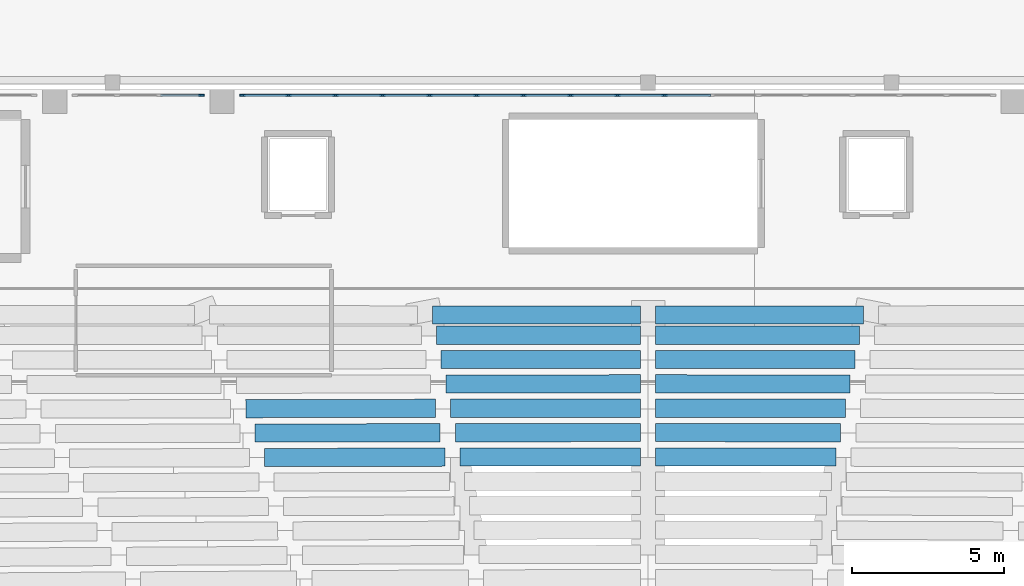
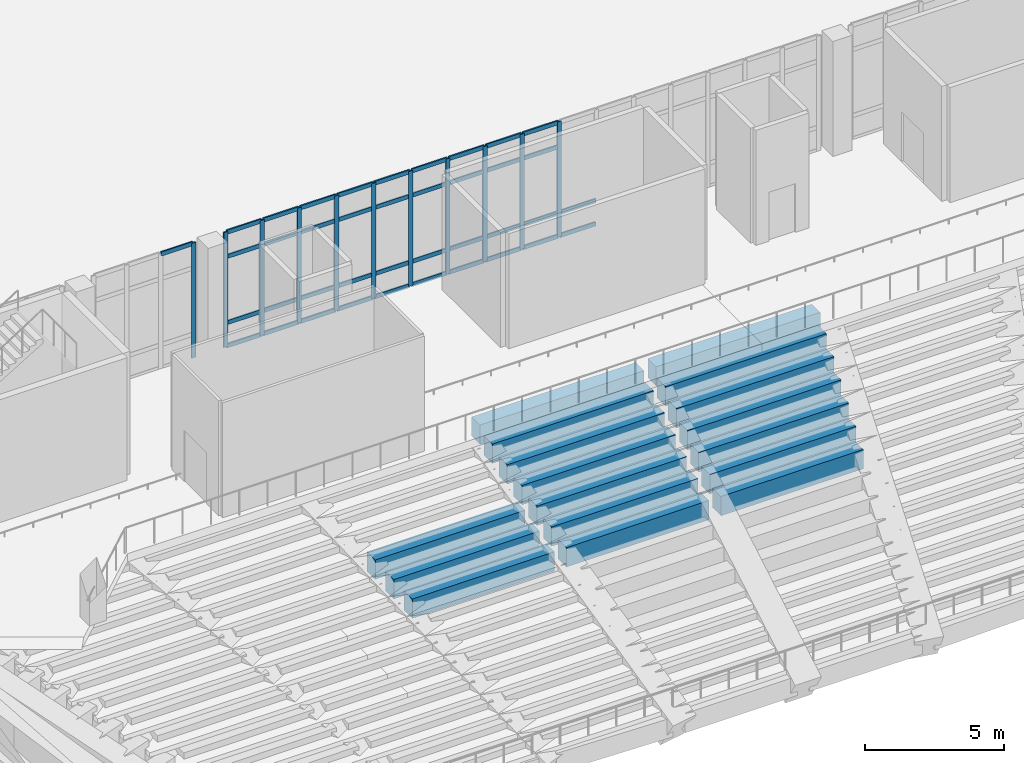
# One storey, part 23 of 55: 50 members, 17 beams, 2 elements without a shape of their own.
"""IFC4 building model written with IfcOpenShell, lengths in metres."""

from ifc_helpers import new_model, si_unit, derived_unit, direction, frame, origin, origin_2d, place, context, subcontext, project, spatial, rectangle, extrude, material, layer, layer_set, material_profile, profile_set, type_object, element, aggregate, save


model = new_model("IFC4")

# Units and contexts
model_context = context("Model", 3, precision=1e-05, world=origin(), true_north=direction((0.0, 1.0)))
body_context = subcontext(model_context, "Body", "Model", "MODEL_VIEW")
ifc_project = project(units=[si_unit("LENGTHUNIT", "METRE"), si_unit("AREAUNIT", "SQUARE_METRE"), si_unit("VOLUMEUNIT", "CUBIC_METRE"), si_unit("PLANEANGLEUNIT", "RADIAN"), si_unit("MASSUNIT", "GRAM", prefix="KILO"), derived_unit("THERMALTRANSMITTANCEUNIT", [(si_unit("MASSUNIT", "GRAM", prefix="KILO"), 1), (si_unit("TIMEUNIT", "SECOND"), -3), (si_unit("THERMODYNAMICTEMPERATUREUNIT", "KELVIN"), -1)])], contexts=[model_context])

# Site, building, storey
site_placement = place(None, origin())
site = spatial("IfcSite", under=ifc_project, at=site_placement, CompositionType="ELEMENT")
building_placement = place(site_placement, origin())
building = spatial("IfcBuilding", under=site, at=building_placement, Name="Valcora Ridge Arena", CompositionType="ELEMENT")
storey_placement = place(building_placement, frame((0.0, 0.0, 21.0)))
storey = spatial("IfcBuildingStorey", under=building, at=storey_placement, Name="L04", CompositionType="ELEMENT", Elevation=21.0)

# Beams
ifc_material_1 = material(Name="Concrete C40/50", Category="concrete")
ifc_material_profile_1 = material_profile(ifc_material_1, rectangle(XDim=0.60009765625, YDim=0.85009765625, at=origin_2d()), Name="RC 600x850")
ifc_profile_set_1 = profile_set([ifc_material_profile_1], Name="Concrete C40/50")
beam_type = type_object("IfcBeamType", Name="TY-BEAM-B-RC600-X", PredefinedType="BEAM", material=ifc_profile_set_1)
for number, where, z_axis, x_axis, name in (
    (1, (64.177001953125, 96.114013671875, -4.385009765625), (-0.999999511345, 0.00098858954, 0.0), (-0.00098858954, -0.999999511345, 0.0), "B-RC600-X BEM-RU3-B-RC600-X-0359"),
    (2, (57.75, 96.119873046875, -4.385009765625), (-0.999999511345, -0.00098858954, 0.0), (0.00098858954, -0.999999511345, 0.0), "B-RC600-X BEM-RU3-B-RC600-X-0360"),
):
    element("IfcBeam", number, at=place(storey_placement, frame(where, z_axis=z_axis, x_axis=x_axis)), inside=storey, type_object=beam_type, Name=name, PredefinedType="BEAM", context=body_context, shape_type="SweptSolid", body=[
        extrude(rectangle(XDim=0.60009765625, YDim=0.85009765625, at=origin_2d()), origin(), (0.0, 0.0, 1.0), 5.927001953125),
    ])
beam_1_placement = place(storey_placement, frame((51.322998046875, 96.11328125, -4.385009765625), z_axis=(-0.999996836757, -0.002515248517, 0.0), x_axis=(0.002515248517, -0.999996836757, 0.0)))
element("IfcBeam", 3, at=beam_1_placement, inside=storey, type_object=beam_type, Name="B-RC600-X BEM-RU3-B-RC600-X-0361", PredefinedType="BEAM", context=body_context, shape_type="SweptSolid", body=[
    extrude(rectangle(XDim=0.60009765625, YDim=0.85009765625, at=origin_2d()), origin(), (0.0, 0.0, 1.0), 5.9208984375),
])
for number, where, z_axis, x_axis, name in (
    (4, (64.331298828125, 96.9150390625, -3.905029296875), (-0.999999677658, 0.00080292238, 0.0), (-0.00080292238, -0.999999677658, 0.0), "B-RC600-X BEM-RU3-B-RC600-X-0389"),
    (5, (57.75, 96.919921875, -3.905029296875), (-0.999999677658, -0.00080292238, 0.0), (0.00080292238, -0.999999677658, 0.0), "B-RC600-X BEM-RU3-B-RC600-X-0390"),
):
    element("IfcBeam", number, at=place(storey_placement, frame(where, z_axis=z_axis, x_axis=x_axis)), inside=storey, type_object=beam_type, Name=name, PredefinedType="BEAM", context=body_context, shape_type="SweptSolid", body=[
        extrude(rectangle(XDim=0.60009765625, YDim=0.85009765625, at=origin_2d()), origin(), (0.0, 0.0, 1.0), 6.081298828125),
    ])
beam_2_placement = place(storey_placement, frame((51.168701171875, 96.914306640625, -3.905029296875), z_axis=(-0.999997982127, -0.002008915549, 0.0), x_axis=(0.002008915549, -0.999997982127, 0.0)))
element("IfcBeam", 6, at=beam_2_placement, inside=storey, type_object=beam_type, Name="B-RC600-X BEM-RU3-B-RC600-X-0391", PredefinedType="BEAM", context=body_context, shape_type="SweptSolid", body=[
    extrude(rectangle(XDim=0.60009765625, YDim=0.85009765625, at=origin_2d()), origin(), (0.0, 0.0, 1.0), 6.076416015625),
])
for number, where, z_axis, x_axis, name in (
    (7, (64.48583984375, 97.716064453125, -3.425048828125), (-0.999999827558, 0.000587267928, 0.0), (-0.000587267928, -0.999999827558, 0.0), "B-RC600-X BEM-RU3-B-RC600-X-0421"),
    (8, (57.75, 97.7197265625, -3.425048828125), (-0.999999827558, -0.000587267928, 0.0), (0.000587267928, -0.999999827558, 0.0), "B-RC600-X BEM-RU3-B-RC600-X-0422"),
):
    element("IfcBeam", number, at=place(storey_placement, frame(where, z_axis=z_axis, x_axis=x_axis)), inside=storey, type_object=beam_type, Name=name, PredefinedType="BEAM", context=body_context, shape_type="SweptSolid", body=[
        extrude(rectangle(XDim=0.60009765625, YDim=0.85009765625, at=origin_2d()), origin(), (0.0, 0.0, 1.0), 6.23583984375),
    ])
beam_3_placement = place(storey_placement, frame((51.01416015625, 97.715576171875, -3.425048828125), z_axis=(-0.999998772211, -0.001567027771, 0.0), x_axis=(0.001567027771, -0.999998772211, 0.0)))
element("IfcBeam", 9, at=beam_3_placement, inside=storey, type_object=beam_type, Name="B-RC600-X BEM-RU3-B-RC600-X-0423", PredefinedType="BEAM", context=body_context, shape_type="SweptSolid", body=[
    extrude(rectangle(XDim=0.60009765625, YDim=0.85009765625, at=origin_2d()), origin(), (0.0, 0.0, 1.0), 6.23193359375),
])
for number, where, z_axis, x_axis, name in (
    (10, (64.640380859375, 98.51708984375, -2.945068359375), (-0.999999894911, 0.000458452674, 0.0), (-0.000458452674, -0.999999894911, 0.0), "B-RC600-X BEM-RU3-B-RC600-X-0453"),
    (11, (57.75, 98.52001953125, -2.945068359375), (-0.999999894911, -0.000458452674, 0.0), (0.000458452674, -0.999999894911, 0.0), "B-RC600-X BEM-RU3-B-RC600-X-0454"),
):
    element("IfcBeam", number, at=place(storey_placement, frame(where, z_axis=z_axis, x_axis=x_axis)), inside=storey, type_object=beam_type, Name=name, PredefinedType="BEAM", context=body_context, shape_type="SweptSolid", body=[
        extrude(rectangle(XDim=0.60009765625, YDim=0.85009765625, at=origin_2d()), origin(), (0.0, 0.0, 1.0), 6.390380859375),
    ])
for number, where, z_axis, x_axis, name in (
    (12, (64.794921875, 99.318115234375, -2.465087890625), (-0.999999965909, 0.000261116076, 0.0), (-0.000261116076, -0.999999965909, 0.0), "B-RC600-X BEM-RU3-B-RC600-X-0485"),
    (13, (57.75, 99.31982421875, -2.465087890625), (-0.999999965909, -0.000261116076, 0.0), (0.000261116076, -0.999999965909, 0.0), "B-RC600-X BEM-RU3-B-RC600-X-0486"),
):
    element("IfcBeam", number, at=place(storey_placement, frame(where, z_axis=z_axis, x_axis=x_axis)), inside=storey, type_object=beam_type, Name=name, PredefinedType="BEAM", context=body_context, shape_type="SweptSolid", body=[
        extrude(rectangle(XDim=0.60009765625, YDim=0.85009765625, at=origin_2d()), origin(), (0.0, 0.0, 1.0), 6.544921875),
    ])
for number, where, z_axis, x_axis, name in (
    (14, (64.949462890625, 100.118896484375, -1.985107421875), (-0.9999999834, 0.0001822091, 0.0), (-0.0001822091, -0.9999999834, 0.0), "B-RC600-X BEM-RU3-B-RC600-X-0517"),
    (15, (57.75, 100.1201171875, -1.985107421875), (-0.9999999834, -0.0001822091, 0.0), (0.0001822091, -0.9999999834, 0.0), "B-RC600-X BEM-RU3-B-RC600-X-0518"),
):
    element("IfcBeam", number, at=place(storey_placement, frame(where, z_axis=z_axis, x_axis=x_axis)), inside=storey, type_object=beam_type, Name=name, PredefinedType="BEAM", context=body_context, shape_type="SweptSolid", body=[
        extrude(rectangle(XDim=0.60009765625, YDim=0.85009765625, at=origin_2d()), origin(), (0.0, 0.0, 1.0), 6.699462890625),
    ])
for number, where, z_axis, x_axis, name in (
    (16, (65.078125, 100.786376953125, -1.5048828125), (-0.999999989773, -0.000143020594, 0.0), (0.000143020594, -0.999999989773, 0.0), "B-RC600-X BEM-RU3-B-RC600-X-0549"),
    (17, (57.75, 100.785400390625, -1.5048828125), (-0.999999989773, 0.000143020594, 0.0), (-0.000143020594, -0.999999989773, 0.0), "B-RC600-X BEM-RU3-B-RC600-X-0550"),
):
    element("IfcBeam", number, at=place(storey_placement, frame(where, z_axis=z_axis, x_axis=x_axis)), inside=storey, type_object=beam_type, Name=name, PredefinedType="BEAM", context=body_context, shape_type="SweptSolid", body=[
        extrude(rectangle(XDim=0.60009765625, YDim=0.85009765625, at=origin_2d()), origin(), (0.0, 0.0, 1.0), 6.828125),
    ])

# Curtain wall, member
ifc_material_2 = material(Name="Anodised dark bronze architectural aluminium 6063-T6", Category="aluminium")
ifc_layer_1 = layer(ifc_material_2, 0.179931640625, Name="Anodised dark bronze architectural aluminium 6063-T6")
ifc_layer_set_1 = layer_set([ifc_layer_1], Name="Anodised dark bronze architectural aluminium 6063-T6")
curtain_wall_type_1 = type_object("IfcCurtainWallType", Name="TY-CURTAINWALL-CW-V1-GOTH-042X51", PredefinedType="NOTDEFINED", material=ifc_layer_set_1)
curtain_wall_1_placement = place(storey_placement, origin())
curtain_wall_1 = element("IfcCurtainWall", 18, at=curtain_wall_1_placement, inside=storey, type_object=curtain_wall_type_1, Name="CW-V1-GOTH-042X51 CW-0158", PredefinedType="NOTDEFINED")
ifc_material_profile_2 = material_profile(ifc_material_2, rectangle(XDim=0.06005859375, YDim=0.179931640625, at=origin_2d()), Name="ALU MULLION 60x180")
ifc_profile_set_2 = profile_set([ifc_material_profile_2], Name="Anodised dark bronze architectural aluminium 6063-T6")
member_type_1 = type_object("IfcMemberType", Name="TY-MEM-CWM-60x180", PredefinedType="MULLION", material=ifc_profile_set_2)
member_1_placement = place(storey_placement, frame((43.330078125, 108.0, 0.0), z_axis=(0.0, 0.0, 1.0), x_axis=(0.0, 1.0, 0.0)))
member_1 = element("IfcMember", 19, at=member_1_placement, type_object=member_type_1, Name="CW-0158/CWM-60x180/M03", PredefinedType="MULLION", context=body_context, shape_type="SweptSolid", body=[
    extrude(rectangle(XDim=0.06005859375, YDim=0.179931640625, at=origin_2d()), origin(), (0.0, 0.0, 1.0), 5.06005859375),
])

# Curtain wall, members
ifc_layer_2 = layer(ifc_material_2, 0.179931640625, Name="Anodised dark bronze architectural aluminium 6063-T6")
ifc_layer_set_2 = layer_set([ifc_layer_2], Name="Anodised dark bronze architectural aluminium 6063-T6")
curtain_wall_type_2 = type_object("IfcCurtainWallType", Name="TY-CURTAINWALL-CW-V1-GOTH-247X51", PredefinedType="NOTDEFINED", material=ifc_layer_set_2)
curtain_wall_2_placement = place(storey_placement, origin())
curtain_wall_2 = element("IfcCurtainWall", 20, at=curtain_wall_2_placement, inside=storey, type_object=curtain_wall_type_2, Name="CW-V1-GOTH-247X51 CW-0159", PredefinedType="NOTDEFINED")
member_2_placement = place(storey_placement, frame((44.669921875, 108.0, 0.0), z_axis=(0.0, 0.0, 1.0), x_axis=(0.0, 1.0, 0.0)))
member_2 = element("IfcMember", 21, at=member_2_placement, type_object=member_type_1, Name="CW-0159/CWM-60x180/M00", PredefinedType="MULLION", context=body_context, shape_type="SweptSolid", body=[
    extrude(rectangle(XDim=0.06005859375, YDim=0.179931640625, at=origin_2d()), origin(), (0.0, 0.0, 1.0), 5.06005859375),
])
member_3_placement = place(storey_placement, frame((46.18505859375, 108.0, 0.0), z_axis=(0.0, 0.0, 1.0), x_axis=(0.0, 1.0, 0.0)))
member_3 = element("IfcMember", 22, at=member_3_placement, type_object=member_type_1, Name="CW-0159/CWM-60x180/M01", PredefinedType="MULLION", context=body_context, shape_type="SweptSolid", body=[
    extrude(rectangle(XDim=0.06005859375, YDim=0.179931640625, at=origin_2d()), origin(), (0.0, 0.0, 1.0), 5.06005859375),
])
member_4_placement = place(storey_placement, frame((47.72998046875, 108.0, 0.0), z_axis=(0.0, 0.0, 1.0), x_axis=(0.0, 1.0, 0.0)))
member_4 = element("IfcMember", 23, at=member_4_placement, type_object=member_type_1, Name="CW-0159/CWM-60x180/M02", PredefinedType="MULLION", context=body_context, shape_type="SweptSolid", body=[
    extrude(rectangle(XDim=0.06005859375, YDim=0.179931640625, at=origin_2d()), origin(), (0.0, 0.0, 1.0), 5.06005859375),
])
member_5_placement = place(storey_placement, frame((49.27490234375, 108.0, 0.0), z_axis=(0.0, 0.0, 1.0), x_axis=(0.0, 1.0, 0.0)))
member_5 = element("IfcMember", 24, at=member_5_placement, type_object=member_type_1, Name="CW-0159/CWM-60x180/M03", PredefinedType="MULLION", context=body_context, shape_type="SweptSolid", body=[
    extrude(rectangle(XDim=0.06005859375, YDim=0.179931640625, at=origin_2d()), origin(), (0.0, 0.0, 1.0), 5.06005859375),
])
member_6_placement = place(storey_placement, frame((50.820068359375, 108.0, 0.0), z_axis=(0.0, 0.0, 1.0), x_axis=(0.0, 1.0, 0.0)))
member_6 = element("IfcMember", 25, at=member_6_placement, type_object=member_type_1, Name="CW-0159/CWM-60x180/M04", PredefinedType="MULLION", context=body_context, shape_type="SweptSolid", body=[
    extrude(rectangle(XDim=0.06005859375, YDim=0.179931640625, at=origin_2d()), origin(), (0.0, 0.0, 1.0), 5.06005859375),
])
member_7_placement = place(storey_placement, frame((52.364990234375, 108.0, 0.0), z_axis=(0.0, 0.0, 1.0), x_axis=(0.0, 1.0, 0.0)))
member_7 = element("IfcMember", 26, at=member_7_placement, type_object=member_type_1, Name="CW-0159/CWM-60x180/M05", PredefinedType="MULLION", context=body_context, shape_type="SweptSolid", body=[
    extrude(rectangle(XDim=0.06005859375, YDim=0.179931640625, at=origin_2d()), origin(), (0.0, 0.0, 1.0), 5.06005859375),
])
member_8_placement = place(storey_placement, frame((53.909912109375, 108.0, 0.0), z_axis=(0.0, 0.0, 1.0), x_axis=(0.0, 1.0, 0.0)))
member_8 = element("IfcMember", 27, at=member_8_placement, type_object=member_type_1, Name="CW-0159/CWM-60x180/M06", PredefinedType="MULLION", context=body_context, shape_type="SweptSolid", body=[
    extrude(rectangle(XDim=0.06005859375, YDim=0.179931640625, at=origin_2d()), origin(), (0.0, 0.0, 1.0), 5.06005859375),
])
member_9_placement = place(storey_placement, frame((55.455078125, 108.0, 0.0), z_axis=(0.0, 0.0, 1.0), x_axis=(0.0, 1.0, 0.0)))
member_9 = element("IfcMember", 28, at=member_9_placement, type_object=member_type_1, Name="CW-0159/CWM-60x180/M07", PredefinedType="MULLION", context=body_context, shape_type="SweptSolid", body=[
    extrude(rectangle(XDim=0.06005859375, YDim=0.179931640625, at=origin_2d()), origin(), (0.0, 0.0, 1.0), 5.06005859375),
])
member_10_placement = place(storey_placement, frame((57.0, 108.0, 0.0), z_axis=(0.0, 0.0, 1.0), x_axis=(0.0, 1.0, 0.0)))
member_10 = element("IfcMember", 29, at=member_10_placement, type_object=member_type_1, Name="CW-0159/CWM-60x180/M08", PredefinedType="MULLION", context=body_context, shape_type="SweptSolid", body=[
    extrude(rectangle(XDim=0.06005859375, YDim=0.179931640625, at=origin_2d()), origin(), (0.0, 0.0, 1.0), 5.06005859375),
])
member_11_placement = place(storey_placement, frame((58.544921875, 108.0, 0.0), z_axis=(0.0, 0.0, 1.0), x_axis=(0.0, 1.0, 0.0)))
member_11 = element("IfcMember", 30, at=member_11_placement, type_object=member_type_1, Name="CW-0159/CWM-60x180/M09", PredefinedType="MULLION", context=body_context, shape_type="SweptSolid", body=[
    extrude(rectangle(XDim=0.06005859375, YDim=0.179931640625, at=origin_2d()), origin(), (0.0, 0.0, 1.0), 5.06005859375),
])

# Member
ifc_material_profile_3 = material_profile(ifc_material_2, rectangle(XDim=0.06005859375, YDim=0.179931640625, at=origin_2d()), Name="ALU TRANSOM 60x180")
ifc_profile_set_3 = profile_set([ifc_material_profile_3], Name="Anodised dark bronze architectural aluminium 6063-T6")
member_type_2 = type_object("IfcMemberType", Name="TY-MEM-CWT-60x180", PredefinedType="USERDEFINED", material=ifc_profile_set_3)
member_12_placement = place(storey_placement, frame((41.98291015625, 108.0, 5.030029296875), z_axis=(1.0, 0.0, 0.0), x_axis=(0.0, 1.0, 0.0)))
member_12 = element("IfcMember", 31, at=member_12_placement, type_object=member_type_2, Name="CW-0158/CWT-60x180/T02-03", ObjectType="TRANSOM", PredefinedType="USERDEFINED", context=body_context, shape_type="SweptSolid", body=[
    extrude(rectangle(XDim=0.06005859375, YDim=0.179931640625, at=origin_2d()), origin(), (0.0, 0.0, 1.0), 1.317138671875),
])

aggregate(curtain_wall_1, [member_1, member_12])

member_13_placement = place(storey_placement, frame((44.699951171875, 108.0, 0.030029296875), z_axis=(1.0, 0.0, 0.0), x_axis=(0.0, 1.0, 0.0)))
member_13 = element("IfcMember", 32, at=member_13_placement, type_object=member_type_2, Name="CW-0159/CWT-60x180/T00-00", ObjectType="TRANSOM", PredefinedType="USERDEFINED", context=body_context, shape_type="SweptSolid", body=[
    extrude(rectangle(XDim=0.06005859375, YDim=0.179931640625, at=origin_2d()), origin(), (0.0, 0.0, 1.0), 1.455078125),
])

member_14_placement = place(storey_placement, frame((44.699951171875, 108.0, 1.050048828125), z_axis=(1.0, 0.0, 0.0), x_axis=(0.0, 1.0, 0.0)))
member_14 = element("IfcMember", 33, at=member_14_placement, type_object=member_type_2, Name="CW-0159/CWT-60x180/T00-01", ObjectType="TRANSOM", PredefinedType="USERDEFINED", context=body_context, shape_type="SweptSolid", body=[
    extrude(rectangle(XDim=0.06005859375, YDim=0.179931640625, at=origin_2d()), origin(), (0.0, 0.0, 1.0), 1.455078125),
])

member_15_placement = place(storey_placement, frame((44.699951171875, 108.0, 3.9599609375), z_axis=(1.0, 0.0, 0.0), x_axis=(0.0, 1.0, 0.0)))
member_15 = element("IfcMember", 34, at=member_15_placement, type_object=member_type_2, Name="CW-0159/CWT-60x180/T00-02", ObjectType="TRANSOM", PredefinedType="USERDEFINED", context=body_context, shape_type="SweptSolid", body=[
    extrude(rectangle(XDim=0.06005859375, YDim=0.179931640625, at=origin_2d()), origin(), (0.0, 0.0, 1.0), 1.455078125),
])

member_16_placement = place(storey_placement, frame((44.699951171875, 108.0, 5.030029296875), z_axis=(1.0, 0.0, 0.0), x_axis=(0.0, 1.0, 0.0)))
member_16 = element("IfcMember", 35, at=member_16_placement, type_object=member_type_2, Name="CW-0159/CWT-60x180/T00-03", ObjectType="TRANSOM", PredefinedType="USERDEFINED", context=body_context, shape_type="SweptSolid", body=[
    extrude(rectangle(XDim=0.06005859375, YDim=0.179931640625, at=origin_2d()), origin(), (0.0, 0.0, 1.0), 1.455078125),
])

member_17_placement = place(storey_placement, frame((46.215087890625, 108.0, 0.030029296875), z_axis=(1.0, 0.0, 0.0), x_axis=(0.0, 1.0, 0.0)))
member_17 = element("IfcMember", 36, at=member_17_placement, type_object=member_type_2, Name="CW-0159/CWT-60x180/T01-00", ObjectType="TRANSOM", PredefinedType="USERDEFINED", context=body_context, shape_type="SweptSolid", body=[
    extrude(rectangle(XDim=0.06005859375, YDim=0.179931640625, at=origin_2d()), origin(), (0.0, 0.0, 1.0), 1.48486328125),
])

member_18_placement = place(storey_placement, frame((46.215087890625, 108.0, 1.050048828125), z_axis=(1.0, 0.0, 0.0), x_axis=(0.0, 1.0, 0.0)))
member_18 = element("IfcMember", 37, at=member_18_placement, type_object=member_type_2, Name="CW-0159/CWT-60x180/T01-01", ObjectType="TRANSOM", PredefinedType="USERDEFINED", context=body_context, shape_type="SweptSolid", body=[
    extrude(rectangle(XDim=0.06005859375, YDim=0.179931640625, at=origin_2d()), origin(), (0.0, 0.0, 1.0), 1.48486328125),
])

member_19_placement = place(storey_placement, frame((46.215087890625, 108.0, 3.9599609375), z_axis=(1.0, 0.0, 0.0), x_axis=(0.0, 1.0, 0.0)))
member_19 = element("IfcMember", 38, at=member_19_placement, type_object=member_type_2, Name="CW-0159/CWT-60x180/T01-02", ObjectType="TRANSOM", PredefinedType="USERDEFINED", context=body_context, shape_type="SweptSolid", body=[
    extrude(rectangle(XDim=0.06005859375, YDim=0.179931640625, at=origin_2d()), origin(), (0.0, 0.0, 1.0), 1.48486328125),
])

member_20_placement = place(storey_placement, frame((46.215087890625, 108.0, 5.030029296875), z_axis=(1.0, 0.0, 0.0), x_axis=(0.0, 1.0, 0.0)))
member_20 = element("IfcMember", 39, at=member_20_placement, type_object=member_type_2, Name="CW-0159/CWT-60x180/T01-03", ObjectType="TRANSOM", PredefinedType="USERDEFINED", context=body_context, shape_type="SweptSolid", body=[
    extrude(rectangle(XDim=0.06005859375, YDim=0.179931640625, at=origin_2d()), origin(), (0.0, 0.0, 1.0), 1.48486328125),
])

member_21_placement = place(storey_placement, frame((47.760009765625, 108.0, 0.030029296875), z_axis=(1.0, 0.0, 0.0), x_axis=(0.0, 1.0, 0.0)))
member_21 = element("IfcMember", 40, at=member_21_placement, type_object=member_type_2, Name="CW-0159/CWT-60x180/T02-00", ObjectType="TRANSOM", PredefinedType="USERDEFINED", context=body_context, shape_type="SweptSolid", body=[
    extrude(rectangle(XDim=0.06005859375, YDim=0.179931640625, at=origin_2d()), origin(), (0.0, 0.0, 1.0), 1.485107421875),
])

member_22_placement = place(storey_placement, frame((47.760009765625, 108.0, 1.050048828125), z_axis=(1.0, 0.0, 0.0), x_axis=(0.0, 1.0, 0.0)))
member_22 = element("IfcMember", 41, at=member_22_placement, type_object=member_type_2, Name="CW-0159/CWT-60x180/T02-01", ObjectType="TRANSOM", PredefinedType="USERDEFINED", context=body_context, shape_type="SweptSolid", body=[
    extrude(rectangle(XDim=0.06005859375, YDim=0.179931640625, at=origin_2d()), origin(), (0.0, 0.0, 1.0), 1.485107421875),
])

member_23_placement = place(storey_placement, frame((47.760009765625, 108.0, 3.9599609375), z_axis=(1.0, 0.0, 0.0), x_axis=(0.0, 1.0, 0.0)))
member_23 = element("IfcMember", 42, at=member_23_placement, type_object=member_type_2, Name="CW-0159/CWT-60x180/T02-02", ObjectType="TRANSOM", PredefinedType="USERDEFINED", context=body_context, shape_type="SweptSolid", body=[
    extrude(rectangle(XDim=0.06005859375, YDim=0.179931640625, at=origin_2d()), origin(), (0.0, 0.0, 1.0), 1.485107421875),
])

member_24_placement = place(storey_placement, frame((47.760009765625, 108.0, 5.030029296875), z_axis=(1.0, 0.0, 0.0), x_axis=(0.0, 1.0, 0.0)))
member_24 = element("IfcMember", 43, at=member_24_placement, type_object=member_type_2, Name="CW-0159/CWT-60x180/T02-03", ObjectType="TRANSOM", PredefinedType="USERDEFINED", context=body_context, shape_type="SweptSolid", body=[
    extrude(rectangle(XDim=0.06005859375, YDim=0.179931640625, at=origin_2d()), origin(), (0.0, 0.0, 1.0), 1.485107421875),
])

member_25_placement = place(storey_placement, frame((49.304931640625, 108.0, 0.030029296875), z_axis=(1.0, 0.0, 0.0), x_axis=(0.0, 1.0, 0.0)))
member_25 = element("IfcMember", 44, at=member_25_placement, type_object=member_type_2, Name="CW-0159/CWT-60x180/T03-00", ObjectType="TRANSOM", PredefinedType="USERDEFINED", context=body_context, shape_type="SweptSolid", body=[
    extrude(rectangle(XDim=0.06005859375, YDim=0.179931640625, at=origin_2d()), origin(), (0.0, 0.0, 1.0), 1.485107421875),
])

member_26_placement = place(storey_placement, frame((49.304931640625, 108.0, 1.050048828125), z_axis=(1.0, 0.0, 0.0), x_axis=(0.0, 1.0, 0.0)))
member_26 = element("IfcMember", 45, at=member_26_placement, type_object=member_type_2, Name="CW-0159/CWT-60x180/T03-01", ObjectType="TRANSOM", PredefinedType="USERDEFINED", context=body_context, shape_type="SweptSolid", body=[
    extrude(rectangle(XDim=0.06005859375, YDim=0.179931640625, at=origin_2d()), origin(), (0.0, 0.0, 1.0), 1.485107421875),
])

member_27_placement = place(storey_placement, frame((49.304931640625, 108.0, 3.9599609375), z_axis=(1.0, 0.0, 0.0), x_axis=(0.0, 1.0, 0.0)))
member_27 = element("IfcMember", 46, at=member_27_placement, type_object=member_type_2, Name="CW-0159/CWT-60x180/T03-02", ObjectType="TRANSOM", PredefinedType="USERDEFINED", context=body_context, shape_type="SweptSolid", body=[
    extrude(rectangle(XDim=0.06005859375, YDim=0.179931640625, at=origin_2d()), origin(), (0.0, 0.0, 1.0), 1.485107421875),
])

member_28_placement = place(storey_placement, frame((49.304931640625, 108.0, 5.030029296875), z_axis=(1.0, 0.0, 0.0), x_axis=(0.0, 1.0, 0.0)))
member_28 = element("IfcMember", 47, at=member_28_placement, type_object=member_type_2, Name="CW-0159/CWT-60x180/T03-03", ObjectType="TRANSOM", PredefinedType="USERDEFINED", context=body_context, shape_type="SweptSolid", body=[
    extrude(rectangle(XDim=0.06005859375, YDim=0.179931640625, at=origin_2d()), origin(), (0.0, 0.0, 1.0), 1.485107421875),
])

member_29_placement = place(storey_placement, frame((50.85009765625, 108.0, 0.030029296875), z_axis=(1.0, 0.0, 0.0), x_axis=(0.0, 1.0, 0.0)))
member_29 = element("IfcMember", 48, at=member_29_placement, type_object=member_type_2, Name="CW-0159/CWT-60x180/T04-00", ObjectType="TRANSOM", PredefinedType="USERDEFINED", context=body_context, shape_type="SweptSolid", body=[
    extrude(rectangle(XDim=0.06005859375, YDim=0.179931640625, at=origin_2d()), origin(), (0.0, 0.0, 1.0), 1.48486328125),
])

member_30_placement = place(storey_placement, frame((50.85009765625, 108.0, 1.050048828125), z_axis=(1.0, 0.0, 0.0), x_axis=(0.0, 1.0, 0.0)))
member_30 = element("IfcMember", 49, at=member_30_placement, type_object=member_type_2, Name="CW-0159/CWT-60x180/T04-01", ObjectType="TRANSOM", PredefinedType="USERDEFINED", context=body_context, shape_type="SweptSolid", body=[
    extrude(rectangle(XDim=0.06005859375, YDim=0.179931640625, at=origin_2d()), origin(), (0.0, 0.0, 1.0), 1.48486328125),
])

member_31_placement = place(storey_placement, frame((50.85009765625, 108.0, 3.9599609375), z_axis=(1.0, 0.0, 0.0), x_axis=(0.0, 1.0, 0.0)))
member_31 = element("IfcMember", 50, at=member_31_placement, type_object=member_type_2, Name="CW-0159/CWT-60x180/T04-02", ObjectType="TRANSOM", PredefinedType="USERDEFINED", context=body_context, shape_type="SweptSolid", body=[
    extrude(rectangle(XDim=0.06005859375, YDim=0.179931640625, at=origin_2d()), origin(), (0.0, 0.0, 1.0), 1.48486328125),
])

member_32_placement = place(storey_placement, frame((50.85009765625, 108.0, 5.030029296875), z_axis=(1.0, 0.0, 0.0), x_axis=(0.0, 1.0, 0.0)))
member_32 = element("IfcMember", 51, at=member_32_placement, type_object=member_type_2, Name="CW-0159/CWT-60x180/T04-03", ObjectType="TRANSOM", PredefinedType="USERDEFINED", context=body_context, shape_type="SweptSolid", body=[
    extrude(rectangle(XDim=0.06005859375, YDim=0.179931640625, at=origin_2d()), origin(), (0.0, 0.0, 1.0), 1.48486328125),
])

member_33_placement = place(storey_placement, frame((52.39501953125, 108.0, 0.030029296875), z_axis=(1.0, 0.0, 0.0), x_axis=(0.0, 1.0, 0.0)))
member_33 = element("IfcMember", 52, at=member_33_placement, type_object=member_type_2, Name="CW-0159/CWT-60x180/T05-00", ObjectType="TRANSOM", PredefinedType="USERDEFINED", context=body_context, shape_type="SweptSolid", body=[
    extrude(rectangle(XDim=0.06005859375, YDim=0.179931640625, at=origin_2d()), origin(), (0.0, 0.0, 1.0), 1.48486328125),
])

member_34_placement = place(storey_placement, frame((52.39501953125, 108.0, 1.050048828125), z_axis=(1.0, 0.0, 0.0), x_axis=(0.0, 1.0, 0.0)))
member_34 = element("IfcMember", 53, at=member_34_placement, type_object=member_type_2, Name="CW-0159/CWT-60x180/T05-01", ObjectType="TRANSOM", PredefinedType="USERDEFINED", context=body_context, shape_type="SweptSolid", body=[
    extrude(rectangle(XDim=0.06005859375, YDim=0.179931640625, at=origin_2d()), origin(), (0.0, 0.0, 1.0), 1.48486328125),
])

member_35_placement = place(storey_placement, frame((52.39501953125, 108.0, 3.9599609375), z_axis=(1.0, 0.0, 0.0), x_axis=(0.0, 1.0, 0.0)))
member_35 = element("IfcMember", 54, at=member_35_placement, type_object=member_type_2, Name="CW-0159/CWT-60x180/T05-02", ObjectType="TRANSOM", PredefinedType="USERDEFINED", context=body_context, shape_type="SweptSolid", body=[
    extrude(rectangle(XDim=0.06005859375, YDim=0.179931640625, at=origin_2d()), origin(), (0.0, 0.0, 1.0), 1.48486328125),
])

member_36_placement = place(storey_placement, frame((52.39501953125, 108.0, 5.030029296875), z_axis=(1.0, 0.0, 0.0), x_axis=(0.0, 1.0, 0.0)))
member_36 = element("IfcMember", 55, at=member_36_placement, type_object=member_type_2, Name="CW-0159/CWT-60x180/T05-03", ObjectType="TRANSOM", PredefinedType="USERDEFINED", context=body_context, shape_type="SweptSolid", body=[
    extrude(rectangle(XDim=0.06005859375, YDim=0.179931640625, at=origin_2d()), origin(), (0.0, 0.0, 1.0), 1.48486328125),
])

member_37_placement = place(storey_placement, frame((53.93994140625, 108.0, 0.030029296875), z_axis=(1.0, 0.0, 0.0), x_axis=(0.0, 1.0, 0.0)))
member_37 = element("IfcMember", 56, at=member_37_placement, type_object=member_type_2, Name="CW-0159/CWT-60x180/T06-00", ObjectType="TRANSOM", PredefinedType="USERDEFINED", context=body_context, shape_type="SweptSolid", body=[
    extrude(rectangle(XDim=0.06005859375, YDim=0.179931640625, at=origin_2d()), origin(), (0.0, 0.0, 1.0), 1.485107421875),
])

member_38_placement = place(storey_placement, frame((53.93994140625, 108.0, 1.050048828125), z_axis=(1.0, 0.0, 0.0), x_axis=(0.0, 1.0, 0.0)))
member_38 = element("IfcMember", 57, at=member_38_placement, type_object=member_type_2, Name="CW-0159/CWT-60x180/T06-01", ObjectType="TRANSOM", PredefinedType="USERDEFINED", context=body_context, shape_type="SweptSolid", body=[
    extrude(rectangle(XDim=0.06005859375, YDim=0.179931640625, at=origin_2d()), origin(), (0.0, 0.0, 1.0), 1.485107421875),
])

member_39_placement = place(storey_placement, frame((53.93994140625, 108.0, 3.9599609375), z_axis=(1.0, 0.0, 0.0), x_axis=(0.0, 1.0, 0.0)))
member_39 = element("IfcMember", 58, at=member_39_placement, type_object=member_type_2, Name="CW-0159/CWT-60x180/T06-02", ObjectType="TRANSOM", PredefinedType="USERDEFINED", context=body_context, shape_type="SweptSolid", body=[
    extrude(rectangle(XDim=0.06005859375, YDim=0.179931640625, at=origin_2d()), origin(), (0.0, 0.0, 1.0), 1.485107421875),
])

member_40_placement = place(storey_placement, frame((53.93994140625, 108.0, 5.030029296875), z_axis=(1.0, 0.0, 0.0), x_axis=(0.0, 1.0, 0.0)))
member_40 = element("IfcMember", 59, at=member_40_placement, type_object=member_type_2, Name="CW-0159/CWT-60x180/T06-03", ObjectType="TRANSOM", PredefinedType="USERDEFINED", context=body_context, shape_type="SweptSolid", body=[
    extrude(rectangle(XDim=0.06005859375, YDim=0.179931640625, at=origin_2d()), origin(), (0.0, 0.0, 1.0), 1.485107421875),
])

member_41_placement = place(storey_placement, frame((55.485107421875, 108.0, 0.030029296875), z_axis=(1.0, 0.0, 0.0), x_axis=(0.0, 1.0, 0.0)))
member_41 = element("IfcMember", 60, at=member_41_placement, type_object=member_type_2, Name="CW-0159/CWT-60x180/T07-00", ObjectType="TRANSOM", PredefinedType="USERDEFINED", context=body_context, shape_type="SweptSolid", body=[
    extrude(rectangle(XDim=0.06005859375, YDim=0.179931640625, at=origin_2d()), origin(), (0.0, 0.0, 1.0), 1.48486328125),
])

member_42_placement = place(storey_placement, frame((55.485107421875, 108.0, 1.050048828125), z_axis=(1.0, 0.0, 0.0), x_axis=(0.0, 1.0, 0.0)))
member_42 = element("IfcMember", 61, at=member_42_placement, type_object=member_type_2, Name="CW-0159/CWT-60x180/T07-01", ObjectType="TRANSOM", PredefinedType="USERDEFINED", context=body_context, shape_type="SweptSolid", body=[
    extrude(rectangle(XDim=0.06005859375, YDim=0.179931640625, at=origin_2d()), origin(), (0.0, 0.0, 1.0), 1.48486328125),
])

member_43_placement = place(storey_placement, frame((55.485107421875, 108.0, 3.9599609375), z_axis=(1.0, 0.0, 0.0), x_axis=(0.0, 1.0, 0.0)))
member_43 = element("IfcMember", 62, at=member_43_placement, type_object=member_type_2, Name="CW-0159/CWT-60x180/T07-02", ObjectType="TRANSOM", PredefinedType="USERDEFINED", context=body_context, shape_type="SweptSolid", body=[
    extrude(rectangle(XDim=0.06005859375, YDim=0.179931640625, at=origin_2d()), origin(), (0.0, 0.0, 1.0), 1.48486328125),
])

member_44_placement = place(storey_placement, frame((55.485107421875, 108.0, 5.030029296875), z_axis=(1.0, 0.0, 0.0), x_axis=(0.0, 1.0, 0.0)))
member_44 = element("IfcMember", 63, at=member_44_placement, type_object=member_type_2, Name="CW-0159/CWT-60x180/T07-03", ObjectType="TRANSOM", PredefinedType="USERDEFINED", context=body_context, shape_type="SweptSolid", body=[
    extrude(rectangle(XDim=0.06005859375, YDim=0.179931640625, at=origin_2d()), origin(), (0.0, 0.0, 1.0), 1.48486328125),
])

member_45_placement = place(storey_placement, frame((57.030029296875, 108.0, 0.030029296875), z_axis=(1.0, 0.0, 0.0), x_axis=(0.0, 1.0, 0.0)))
member_45 = element("IfcMember", 64, at=member_45_placement, type_object=member_type_2, Name="CW-0159/CWT-60x180/T08-00", ObjectType="TRANSOM", PredefinedType="USERDEFINED", context=body_context, shape_type="SweptSolid", body=[
    extrude(rectangle(XDim=0.06005859375, YDim=0.179931640625, at=origin_2d()), origin(), (0.0, 0.0, 1.0), 1.48486328125),
])

member_46_placement = place(storey_placement, frame((57.030029296875, 108.0, 1.050048828125), z_axis=(1.0, 0.0, 0.0), x_axis=(0.0, 1.0, 0.0)))
member_46 = element("IfcMember", 65, at=member_46_placement, type_object=member_type_2, Name="CW-0159/CWT-60x180/T08-01", ObjectType="TRANSOM", PredefinedType="USERDEFINED", context=body_context, shape_type="SweptSolid", body=[
    extrude(rectangle(XDim=0.06005859375, YDim=0.179931640625, at=origin_2d()), origin(), (0.0, 0.0, 1.0), 1.48486328125),
])

member_47_placement = place(storey_placement, frame((57.030029296875, 108.0, 3.9599609375), z_axis=(1.0, 0.0, 0.0), x_axis=(0.0, 1.0, 0.0)))
member_47 = element("IfcMember", 66, at=member_47_placement, type_object=member_type_2, Name="CW-0159/CWT-60x180/T08-02", ObjectType="TRANSOM", PredefinedType="USERDEFINED", context=body_context, shape_type="SweptSolid", body=[
    extrude(rectangle(XDim=0.06005859375, YDim=0.179931640625, at=origin_2d()), origin(), (0.0, 0.0, 1.0), 1.48486328125),
])

member_48_placement = place(storey_placement, frame((57.030029296875, 108.0, 5.030029296875), z_axis=(1.0, 0.0, 0.0), x_axis=(0.0, 1.0, 0.0)))
member_48 = element("IfcMember", 67, at=member_48_placement, type_object=member_type_2, Name="CW-0159/CWT-60x180/T08-03", ObjectType="TRANSOM", PredefinedType="USERDEFINED", context=body_context, shape_type="SweptSolid", body=[
    extrude(rectangle(XDim=0.06005859375, YDim=0.179931640625, at=origin_2d()), origin(), (0.0, 0.0, 1.0), 1.48486328125),
])

member_49_placement = place(storey_placement, frame((58.574951171875, 108.0, 0.030029296875), z_axis=(1.0, 0.0, 0.0), x_axis=(0.0, 1.0, 0.0)))
member_49 = element("IfcMember", 68, at=member_49_placement, type_object=member_type_2, Name="CW-0159/CWT-60x180/T09-00", ObjectType="TRANSOM", PredefinedType="USERDEFINED", context=body_context, shape_type="SweptSolid", body=[
    extrude(rectangle(XDim=0.06005859375, YDim=0.179931640625, at=origin_2d()), origin(), (0.0, 0.0, 1.0), 1.485107421875),
])

member_50_placement = place(storey_placement, frame((58.574951171875, 108.0, 1.050048828125), z_axis=(1.0, 0.0, 0.0), x_axis=(0.0, 1.0, 0.0)))
member_50 = element("IfcMember", 69, at=member_50_placement, type_object=member_type_2, Name="CW-0159/CWT-60x180/T09-01", ObjectType="TRANSOM", PredefinedType="USERDEFINED", context=body_context, shape_type="SweptSolid", body=[
    extrude(rectangle(XDim=0.06005859375, YDim=0.179931640625, at=origin_2d()), origin(), (0.0, 0.0, 1.0), 1.485107421875),
])

aggregate(curtain_wall_2, [member_2, member_3, member_4, member_5, member_6, member_7, member_8, member_9, member_10, member_11, member_13, member_14, member_15, member_16, member_17, member_18, member_19, member_20, member_21, member_22, member_23, member_24, member_25, member_26, member_27, member_28, member_29, member_30, member_31, member_32, member_33, member_34, member_35, member_36, member_37, member_38, member_39, member_40, member_41, member_42, member_43, member_44, member_45, member_46, member_47, member_48, member_49, member_50])

save(model, "model.ifc")
